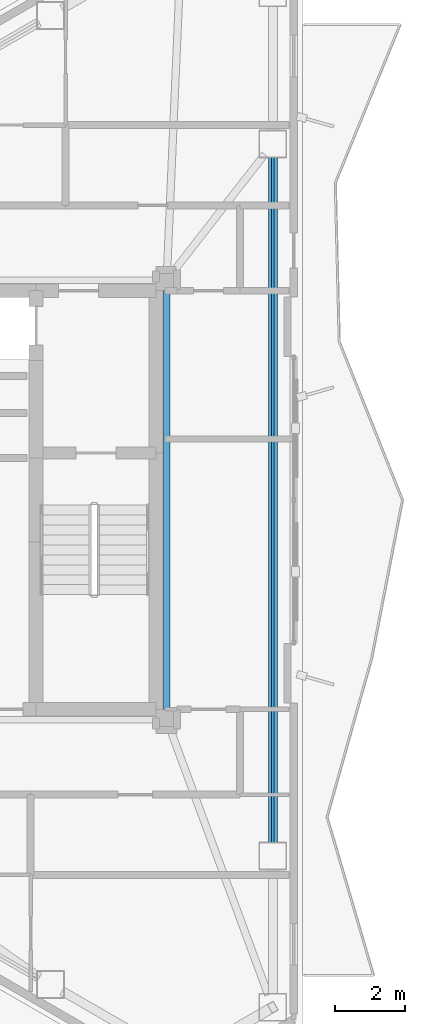
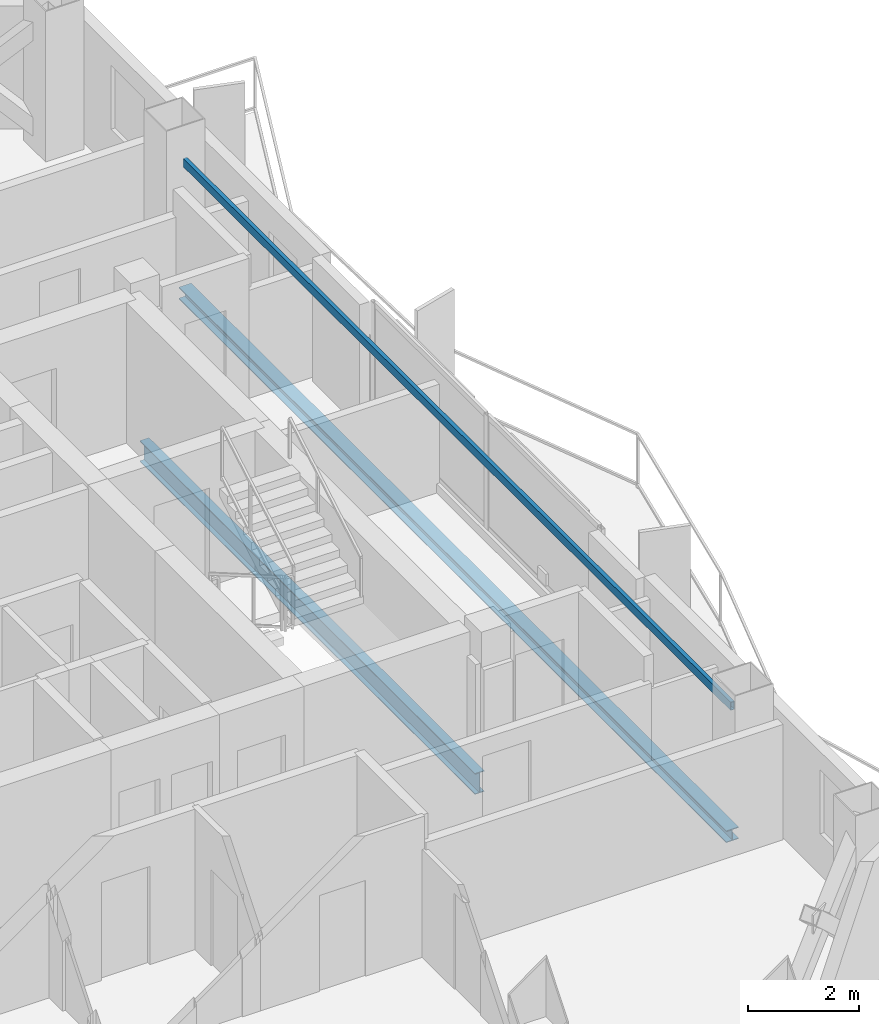
# One storey, part 11 of 18: 3 beams.
"""IFC4 building model written with IfcOpenShell, lengths in metres."""

from ifc_helpers import new_model, si_unit, direction, frame, origin, origin_2d, place, context, subcontext, project, spatial, hollow_rectangle, i_section, extrude, material, material_profile, profile_set, type_object, element, save


model = new_model("IFC4")

# Units and contexts
model_context = context("Model", 3, precision=1e-05, world=origin(), true_north=direction((0.0, 1.0)))
body_context = subcontext(model_context, "Body", "Model", "MODEL_VIEW")
ifc_project = project(units=[si_unit("LENGTHUNIT", "METRE"), si_unit("AREAUNIT", "SQUARE_METRE"), si_unit("VOLUMEUNIT", "CUBIC_METRE"), si_unit("PLANEANGLEUNIT", "RADIAN"), si_unit("MASSUNIT", "GRAM", prefix="KILO")], contexts=[model_context])

# Site, building, storey
site_placement = place(None, origin())
site = spatial("IfcSite", under=ifc_project, at=site_placement, CompositionType="ELEMENT")
building_placement = place(site_placement, origin())
building = spatial("IfcBuilding", under=site, at=building_placement, Name="Mersakhor Tower and Convention Hall", CompositionType="ELEMENT")
storey_placement = place(building_placement, frame((0.0, 0.0, 229.800048828125)))
storey = spatial("IfcBuildingStorey", under=building, at=storey_placement, Name="L64", CompositionType="ELEMENT", Elevation=229.800048828125)

# Beams
ifc_material_1 = material(Name="Steel S355", Category="steel")
ifc_material_profile_1 = material_profile(ifc_material_1, i_section(OverallWidth=0.19140625, OverallDepth=0.4599609375, WebThickness=0.010009765625, FlangeThickness=0.01611328125, at=origin_2d()), Name="UB 457x191x82")
ifc_profile_set_1 = profile_set([ifc_material_profile_1], Name="Steel S355")
beam_type_1 = type_object("IfcBeamType", Name="BM-FB-457", PredefinedType="BEAM", material=ifc_profile_set_1)
beam_1_placement = place(storey_placement, frame((36.10009765625, 32.77001953125, -0.449951171875), z_axis=(0.0, -1.0, 0.0), x_axis=(1.0, 0.0, 0.0)))
element("IfcBeam", 1, at=beam_1_placement, inside=storey, type_object=beam_type_1, Name="L64 Core Ring Tie Beam CRB-3", PredefinedType="BEAM", context=body_context, shape_type="SweptSolid", body=[
    extrude(i_section(OverallWidth=0.19140625, OverallDepth=0.4599609375, WebThickness=0.010009765625, FlangeThickness=0.01611328125, at=origin_2d()), origin(), (0.0, 0.0, 1.0), 12.0400390625),
])
ifc_material_2 = material(Name="Steel S355", Category="steel")
ifc_material_profile_2 = material_profile(ifc_material_2, hollow_rectangle(XDim=0.080078125, YDim=0.179931640625, WallThickness=0.008056640625, at=origin_2d()), Name="RHS 180x80x8")
ifc_profile_set_2 = profile_set([ifc_material_profile_2], Name="Steel S355")
beam_type_2 = type_object("IfcBeamType", Name="BM-GRT-RHS180", PredefinedType="USERDEFINED", material=ifc_profile_set_2)
beam_2_placement = place(storey_placement, frame((39.142822265625, 36.580810546875, 2.47998046875), z_axis=(0.0, -1.0, 0.0), x_axis=(1.0, 0.0, 0.0)))
element("IfcBeam", 2, at=beam_2_placement, inside=storey, type_object=beam_type_2, Name="L64 Facade Support Girt GRT-F2", ObjectType="GIRT", PredefinedType="USERDEFINED", context=body_context, shape_type="SweptSolid", body=[
    extrude(hollow_rectangle(XDim=0.080078125, YDim=0.179931640625, WallThickness=0.008056640625, at=origin_2d()), origin(), (0.0, 0.0, 1.0), 19.66162109375),
])
ifc_material_3 = material(Name="Steel S355", Category="steel")
ifc_material_profile_3 = material_profile(ifc_material_3, i_section(OverallWidth=0.25634765625, OverallDepth=0.26025390625, WebThickness=0.01025390625, FlangeThickness=0.017333984375, at=origin_2d()), Name="UC 254x254x89")
ifc_profile_set_3 = profile_set([ifc_material_profile_3], Name="Steel S355")
beam_type_3 = type_object("IfcBeamType", Name="BM-SPD-UC254", PredefinedType="SPANDREL", material=ifc_profile_set_3)
beam_3_placement = place(storey_placement, frame((39.142822265625, 36.580810546875, -0.35009765625), z_axis=(0.0, -1.0, 0.0), x_axis=(1.0, 0.0, 0.0)))
element("IfcBeam", 3, at=beam_3_placement, inside=storey, type_object=beam_type_3, Name="L64 Perimeter Spandrel Beam SPB-06", PredefinedType="SPANDREL", context=body_context, shape_type="SweptSolid", body=[
    extrude(i_section(OverallWidth=0.25634765625, OverallDepth=0.26025390625, WebThickness=0.01025390625, FlangeThickness=0.017333984375, at=origin_2d()), origin(), (0.0, 0.0, 1.0), 19.66162109375),
])

save(model, "model.ifc")
